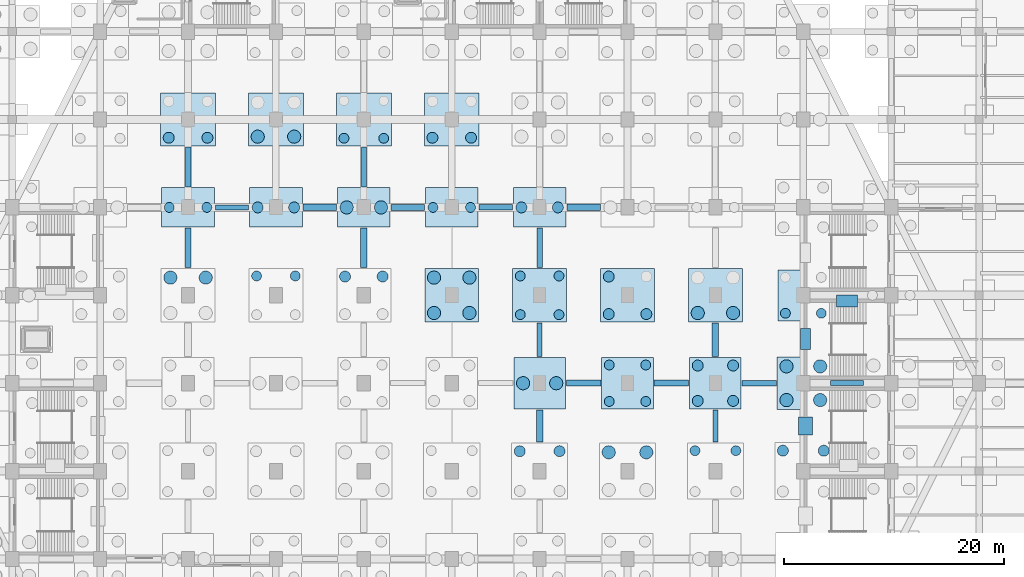
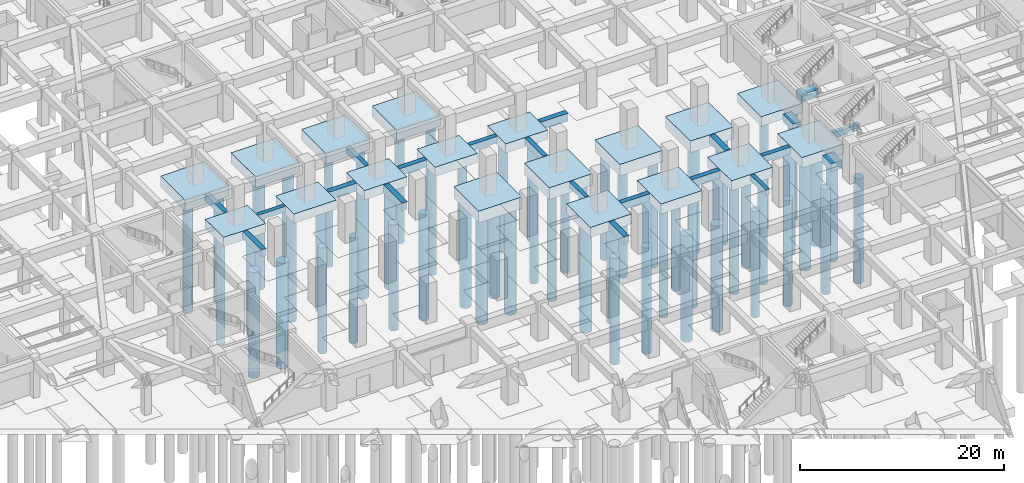
# One storey, part 9 of 36: 61 piles, 39 footings.
"""IFC4 building model written with IfcOpenShell, lengths in metres."""

from ifc_helpers import new_model, si_unit, direction, frame, origin, origin_2d, place, context, subcontext, project, spatial, rectangle, circle, extrude, material, material_profile, profile_set, type_object, element, save


model = new_model("IFC4")

# Units and contexts
model_context = context("Model", 3, precision=1e-05, world=origin(), true_north=direction((0.0, 1.0)))
body_context = subcontext(model_context, "Body", "Model", "MODEL_VIEW")
ifc_project = project(units=[si_unit("LENGTHUNIT", "METRE"), si_unit("AREAUNIT", "SQUARE_METRE"), si_unit("VOLUMEUNIT", "CUBIC_METRE"), si_unit("PLANEANGLEUNIT", "RADIAN"), si_unit("MASSUNIT", "GRAM", prefix="KILO")], contexts=[model_context])

# Site, building, storey
site_placement = place(None, origin())
site = spatial("IfcSite", under=ifc_project, at=site_placement, CompositionType="ELEMENT")
building_placement = place(site_placement, origin())
building = spatial("IfcBuilding", under=site, at=building_placement, Name="Tazarka Park Arena", CompositionType="ELEMENT")
storey_placement = place(building_placement, frame((0.0, 0.0, -4.800048828125)))
storey = spatial("IfcBuildingStorey", under=building, at=storey_placement, Name="B1", CompositionType="ELEMENT", Elevation=-4.800048828125)

# Footings
ifc_material_1 = material(Name="Concrete C35/45", Category="concrete")
footing_type_1 = type_object("IfcFootingType", Name="CAP-PC-01", PredefinedType="PILE_CAP", material=ifc_material_1)
for number, where, z_axis, x_axis, name in (
    (1, (96.0, 64.0, -1.19970703125), (0.0, 0.0, 1.0), (1.0, 0.0, 0.0), "CAP-G-12-08"),
    (2, (104.0, 64.0, -1.19970703125), (0.0, 0.0, 1.0), (1.0, 0.0, 0.0), "CAP-G-13-08"),
    (3, (112.0, 64.0, -1.19970703125), (0.0, 0.0, 1.0), (1.0, 0.0, 0.0), "CAP-G-14-08"),
):
    element("IfcFooting", number, at=place(storey_placement, frame(where, z_axis=z_axis, x_axis=x_axis)), inside=storey, type_object=footing_type_1, Name=name, PredefinedType="PILE_CAP", context=body_context, shape_type="SweptSolid", body=[
        extrude(rectangle(XDim=4.699951171875, YDim=4.699951171875, at=origin_2d()), origin(), (0.0, 0.0, 1.0), 1.199951171875),
    ])
ifc_material_2 = material(Name="Concrete C35/45", Category="concrete")
footing_type_2 = type_object("IfcFootingType", Name="CAP-PC-02", PredefinedType="PILE_CAP", material=ifc_material_2)
for number, where, z_axis, x_axis, name in (
    (4, (88.0, 72.0, -1.39990234375), (0.0, 0.0, 1.0), (1.0, 0.0, 0.0), "CAP-G-11-09"),
    (5, (96.0, 72.0, -1.39990234375), (0.0, 0.0, 1.0), (1.0, 0.0, 0.0), "CAP-G-12-09"),
    (6, (104.0, 72.0, -1.39990234375), (0.0, 0.0, 1.0), (1.0, 0.0, 0.0), "CAP-G-13-09"),
    (7, (112.0, 72.0, -1.39990234375), (0.0, 0.0, 1.0), (1.0, 0.0, 0.0), "CAP-G-14-09"),
):
    element("IfcFooting", number, at=place(storey_placement, frame(where, z_axis=z_axis, x_axis=x_axis)), inside=storey, type_object=footing_type_2, Name=name, PredefinedType="PILE_CAP", context=body_context, shape_type="SweptSolid", body=[
        extrude(rectangle(XDim=4.89990234375, YDim=4.89990234375, at=origin_2d()), origin(), (0.0, 0.0, 1.0), 1.39990234375),
    ])
ifc_material_3 = material(Name="Concrete C35/45", Category="concrete")
footing_type_3 = type_object("IfcFootingType", Name="CAP-PC-03", PredefinedType="PILE_CAP", material=ifc_material_3)
for number, where, z_axis, x_axis, name in (
    (8, (64.0, 80.0, -1.10009765625), (0.0, 0.0, 1.0), (1.0, 0.0, 0.0), "CAP-G-08-10"),
    (9, (72.0, 80.0, -1.10009765625), (0.0, 0.0, 1.0), (1.0, 0.0, 0.0), "CAP-G-09-10"),
    (10, (80.0, 80.0, -1.10009765625), (0.0, 0.0, 1.0), (1.0, 0.0, 0.0), "CAP-G-10-10"),
    (11, (88.0, 80.0, -1.10009765625), (0.0, 0.0, 1.0), (1.0, 0.0, 0.0), "CAP-G-11-10"),
    (12, (96.0, 80.0, -1.10009765625), (0.0, 0.0, 1.0), (1.0, 0.0, 0.0), "CAP-G-12-10"),
):
    element("IfcFooting", number, at=place(storey_placement, frame(where, z_axis=z_axis, x_axis=x_axis)), inside=storey, type_object=footing_type_3, Name=name, PredefinedType="PILE_CAP", context=body_context, shape_type="SweptSolid", body=[
        extrude(rectangle(XDim=4.800048828125, YDim=3.60009765625, at=origin_2d()), origin(), (0.0, 0.0, 1.0), 1.10009765625),
    ])
ifc_material_4 = material(Name="Concrete C35/45", Category="concrete")
footing_type_4 = type_object("IfcFootingType", Name="CAP-PC-04", PredefinedType="PILE_CAP", material=ifc_material_4)
for number, where, z_axis, x_axis, name in (
    (13, (64.0, 88.0, -1.2998046875), (0.0, 0.0, 1.0), (1.0, 0.0, 0.0), "CAP-G-08-11"),
    (14, (72.0, 88.0, -1.2998046875), (0.0, 0.0, 1.0), (1.0, 0.0, 0.0), "CAP-G-09-11"),
    (15, (80.0, 88.0, -1.2998046875), (0.0, 0.0, 1.0), (1.0, 0.0, 0.0), "CAP-G-10-11"),
    (16, (88.0, 88.0, -1.2998046875), (0.0, 0.0, 1.0), (1.0, 0.0, 0.0), "CAP-G-11-11"),
):
    element("IfcFooting", number, at=place(storey_placement, frame(where, z_axis=z_axis, x_axis=x_axis)), inside=storey, type_object=footing_type_4, Name=name, PredefinedType="PILE_CAP", context=body_context, shape_type="SweptSolid", body=[
        extrude(rectangle(XDim=5.0, YDim=4.800048828125, at=origin_2d()), origin(), (0.0, 0.0, 1.0), 1.300048828125),
    ])
ifc_material_5 = material(Name="Concrete C35/45", Category="concrete")
footing_type_5 = type_object("IfcFootingType", Name="CAP-PC-06", PredefinedType="PILE_CAP", material=ifc_material_5)
footing_1_placement = place(storey_placement, frame((120.0, 64.0, -1.25), z_axis=(0.0, 0.0, 1.0), x_axis=(1.0, 0.0, 0.0)))
element("IfcFooting", 17, at=footing_1_placement, inside=storey, type_object=footing_type_5, Name="CAP-G-15-08", PredefinedType="PILE_CAP", context=body_context, shape_type="SweptSolid", body=[
    extrude(rectangle(XDim=4.75, YDim=4.75, at=origin_2d()), origin(), (0.0, 0.0, 1.0), 1.25),
])
ifc_material_6 = material(Name="Concrete C35/45", Category="concrete")
footing_type_6 = type_object("IfcFootingType", Name="CAP-PC-07", PredefinedType="PILE_CAP", material=ifc_material_6)
footing_2_placement = place(storey_placement, frame((120.0, 72.0, -1.14990234375), z_axis=(0.0, 0.0, 1.0), x_axis=(1.0, 0.0, 0.0)))
element("IfcFooting", 18, at=footing_2_placement, inside=storey, type_object=footing_type_6, Name="CAP-G-15-09", PredefinedType="PILE_CAP", context=body_context, shape_type="SweptSolid", body=[
    extrude(rectangle(XDim=4.64990234375, YDim=4.64990234375, at=origin_2d()), origin(), (0.0, 0.0, 1.0), 1.14990234375),
])
ifc_material_7 = material(Name="Concrete C35/45", Category="concrete")
ifc_material_profile_1 = material_profile(ifc_material_7, rectangle(XDim=0.449951171875, YDim=0.699951171875, at=origin_2d()), Name="Concrete C35/45")
ifc_profile_set_1 = profile_set([ifc_material_profile_1], Name="Concrete C35/45")
footing_type_7 = type_object("IfcFootingType", Name="GB-GB-01", PredefinedType="FOOTING_BEAM", material=ifc_profile_set_1)
footing_3_placement = place(storey_placement, frame((66.47998046875, 80.0, -0.349853515625), z_axis=(1.0, 0.0, 0.0), x_axis=(0.0, 1.0, 0.0)))
element("IfcFooting", 19, at=footing_3_placement, inside=storey, type_object=footing_type_7, Name="GB-X-08-10", PredefinedType="FOOTING_BEAM", context=body_context, shape_type="SweptSolid", body=[
    extrude(rectangle(XDim=0.449951171875, YDim=0.699951171875, at=origin_2d()), origin(), (0.0, 0.0, 1.0), 3.0400390625),
])
footing_4_placement = place(storey_placement, frame((80.0, 81.8798828125, -0.349853515625), z_axis=(0.0, 1.0, 0.0), x_axis=(-1.0, 0.0, 0.0)))
element("IfcFooting", 20, at=footing_4_placement, inside=storey, type_object=footing_type_7, Name="GB-Y-10-10", PredefinedType="FOOTING_BEAM", context=body_context, shape_type="SweptSolid", body=[
    extrude(rectangle(XDim=0.449951171875, YDim=0.699951171875, at=origin_2d()), origin(), (0.0, 0.0, 1.0), 3.64013671875),
])
footing_5_placement = place(storey_placement, frame((96.0, 66.429931640625, -0.349853515625), z_axis=(0.0, 1.0, 0.0), x_axis=(-1.0, 0.0, 0.0)))
element("IfcFooting", 21, at=footing_5_placement, inside=storey, type_object=footing_type_7, Name="GB-Y-12-08", PredefinedType="FOOTING_BEAM", context=body_context, shape_type="SweptSolid", body=[
    extrude(rectangle(XDim=0.449951171875, YDim=0.699951171875, at=origin_2d()), origin(), (0.0, 0.0, 1.0), 3.0400390625),
])
footing_6_placement = place(storey_placement, frame((112.0, 58.6298828125, -0.349853515625), z_axis=(0.0, 1.0, 0.0), x_axis=(-1.0, 0.0, 0.0)))
element("IfcFooting", 22, at=footing_6_placement, inside=storey, type_object=footing_type_7, Name="GB-Y-14-07", PredefinedType="FOOTING_BEAM", context=body_context, shape_type="SweptSolid", body=[
    extrude(rectangle(XDim=0.449951171875, YDim=0.699951171875, at=origin_2d()), origin(), (0.0, 0.0, 1.0), 2.940185546875),
])
footing_7_placement = place(storey_placement, frame((122.455078125, 64.0, -0.349853515625), z_axis=(1.0, 0.0, 0.0), x_axis=(0.0, 1.0, 0.0)))
element("IfcFooting", 23, at=footing_7_placement, inside=storey, type_object=footing_type_7, Name="GB-X-15-08", PredefinedType="FOOTING_BEAM", context=body_context, shape_type="SweptSolid", body=[
    extrude(rectangle(XDim=0.449951171875, YDim=0.699951171875, at=origin_2d()), origin(), (0.0, 0.0, 1.0), 3.014892578125),
])
ifc_material_8 = material(Name="Concrete C35/45", Category="concrete")
ifc_material_profile_2 = material_profile(ifc_material_8, rectangle(XDim=0.5, YDim=0.800048828125, at=origin_2d()), Name="Concrete C35/45")
ifc_profile_set_2 = profile_set([ifc_material_profile_2], Name="Concrete C35/45")
footing_type_8 = type_object("IfcFootingType", Name="GB-GB-02", PredefinedType="FOOTING_BEAM", material=ifc_profile_set_2)
footing_8_placement = place(storey_placement, frame((64.0, 81.8798828125, -0.39990234375), z_axis=(0.0, 1.0, 0.0), x_axis=(-1.0, 0.0, 0.0)))
element("IfcFooting", 24, at=footing_8_placement, inside=storey, type_object=footing_type_8, Name="GB-Y-08-10", PredefinedType="FOOTING_BEAM", context=body_context, shape_type="SweptSolid", body=[
    extrude(rectangle(XDim=0.5, YDim=0.800048828125, at=origin_2d()), origin(), (0.0, 0.0, 1.0), 3.64013671875),
])
footing_9_placement = place(storey_placement, frame((90.47998046875, 80.0, -0.39990234375), z_axis=(1.0, 0.0, 0.0), x_axis=(0.0, 1.0, 0.0)))
element("IfcFooting", 25, at=footing_9_placement, inside=storey, type_object=footing_type_8, Name="GB-X-11-10", PredefinedType="FOOTING_BEAM", context=body_context, shape_type="SweptSolid", body=[
    extrude(rectangle(XDim=0.5, YDim=0.800048828125, at=origin_2d()), origin(), (0.0, 0.0, 1.0), 3.0400390625),
])
footing_10_placement = place(storey_placement, frame((96.0, 74.530029296875, -0.39990234375), z_axis=(0.0, 1.0, 0.0), x_axis=(-1.0, 0.0, 0.0)))
element("IfcFooting", 26, at=footing_10_placement, inside=storey, type_object=footing_type_8, Name="GB-Y-12-09", PredefinedType="FOOTING_BEAM", context=body_context, shape_type="SweptSolid", body=[
    extrude(rectangle(XDim=0.5, YDim=0.800048828125, at=origin_2d()), origin(), (0.0, 0.0, 1.0), 3.590087890625),
])
footing_11_placement = place(storey_placement, frame((114.429931640625, 64.0, -0.39990234375), z_axis=(1.0, 0.0, 0.0), x_axis=(0.0, 1.0, 0.0)))
element("IfcFooting", 27, at=footing_11_placement, inside=storey, type_object=footing_type_8, Name="GB-X-14-08", PredefinedType="FOOTING_BEAM", context=body_context, shape_type="SweptSolid", body=[
    extrude(rectangle(XDim=0.5, YDim=0.800048828125, at=origin_2d()), origin(), (0.0, 0.0, 1.0), 3.114990234375),
])
ifc_material_9 = material(Name="Concrete C35/45", Category="concrete")
ifc_material_profile_3 = material_profile(ifc_material_9, rectangle(XDim=0.60009765625, YDim=0.949951171875, at=origin_2d()), Name="Concrete C35/45")
ifc_profile_set_3 = profile_set([ifc_material_profile_3], Name="Concrete C35/45")
footing_type_9 = type_object("IfcFootingType", Name="GB-GB-03", PredefinedType="FOOTING_BEAM", material=ifc_profile_set_3)
footing_12_placement = place(storey_placement, frame((74.47998046875, 80.0, -0.474853515625), z_axis=(1.0, 0.0, 0.0), x_axis=(0.0, 1.0, 0.0)))
element("IfcFooting", 28, at=footing_12_placement, inside=storey, type_object=footing_type_9, Name="GB-X-09-10", PredefinedType="FOOTING_BEAM", context=body_context, shape_type="SweptSolid", body=[
    extrude(rectangle(XDim=0.60009765625, YDim=0.949951171875, at=origin_2d()), origin(), (0.0, 0.0, 1.0), 3.0400390625),
])
footing_13_placement = place(storey_placement, frame((80.0, 74.530029296875, -0.474853515625), z_axis=(0.0, 1.0, 0.0), x_axis=(-1.0, 0.0, 0.0)))
element("IfcFooting", 29, at=footing_13_placement, inside=storey, type_object=footing_type_9, Name="GB-Y-10-09", PredefinedType="FOOTING_BEAM", context=body_context, shape_type="SweptSolid", body=[
    extrude(rectangle(XDim=0.60009765625, YDim=0.949951171875, at=origin_2d()), origin(), (0.0, 0.0, 1.0), 3.590087890625),
])
footing_14_placement = place(storey_placement, frame((96.0, 58.6298828125, -0.474853515625), z_axis=(0.0, 1.0, 0.0), x_axis=(-1.0, 0.0, 0.0)))
element("IfcFooting", 30, at=footing_14_placement, inside=storey, type_object=footing_type_9, Name="GB-Y-12-07", PredefinedType="FOOTING_BEAM", context=body_context, shape_type="SweptSolid", body=[
    extrude(rectangle(XDim=0.60009765625, YDim=0.949951171875, at=origin_2d()), origin(), (0.0, 0.0, 1.0), 2.940185546875),
])
for number, where, z_axis, x_axis, name in (
    (31, (98.47998046875, 80.0, -0.474853515625), (1.0, 0.0, 0.0), (0.0, 1.0, 0.0), "GB-X-12-10"),
    (32, (112.0, 66.429931640625, -0.474853515625), (0.0, 1.0, 0.0), (-1.0, 0.0, 0.0), "GB-Y-14-08"),
):
    element("IfcFooting", number, at=place(storey_placement, frame(where, z_axis=z_axis, x_axis=x_axis)), inside=storey, type_object=footing_type_9, Name=name, PredefinedType="FOOTING_BEAM", context=body_context, shape_type="SweptSolid", body=[
        extrude(rectangle(XDim=0.60009765625, YDim=0.949951171875, at=origin_2d()), origin(), (0.0, 0.0, 1.0), 3.0400390625),
    ])
ifc_material_10 = material(Name="Concrete C35/45", Category="concrete")
ifc_material_profile_4 = material_profile(ifc_material_10, rectangle(XDim=0.550048828125, YDim=0.85009765625, at=origin_2d()), Name="Concrete C35/45")
ifc_profile_set_4 = profile_set([ifc_material_profile_4], Name="Concrete C35/45")
footing_type_10 = type_object("IfcFootingType", Name="GB-GB-04", PredefinedType="FOOTING_BEAM", material=ifc_profile_set_4)
footing_15_placement = place(storey_placement, frame((64.0, 74.530029296875, -0.425048828125), z_axis=(0.0, 1.0, 0.0), x_axis=(-1.0, 0.0, 0.0)))
element("IfcFooting", 33, at=footing_15_placement, inside=storey, type_object=footing_type_10, Name="GB-Y-08-09", PredefinedType="FOOTING_BEAM", context=body_context, shape_type="SweptSolid", body=[
    extrude(rectangle(XDim=0.550048828125, YDim=0.85009765625, at=origin_2d()), origin(), (0.0, 0.0, 1.0), 3.590087890625),
])
footing_16_placement = place(storey_placement, frame((82.47998046875, 80.0, -0.425048828125), z_axis=(1.0, 0.0, 0.0), x_axis=(0.0, 1.0, 0.0)))
element("IfcFooting", 34, at=footing_16_placement, inside=storey, type_object=footing_type_10, Name="GB-X-10-10", PredefinedType="FOOTING_BEAM", context=body_context, shape_type="SweptSolid", body=[
    extrude(rectangle(XDim=0.550048828125, YDim=0.85009765625, at=origin_2d()), origin(), (0.0, 0.0, 1.0), 3.0400390625),
])
for number, where, z_axis, x_axis, name in (
    (35, (98.429931640625, 64.0, -0.425048828125), (1.0, 0.0, 0.0), (0.0, 1.0, 0.0), "GB-X-12-08"),
    (36, (106.429931640625, 64.0, -0.425048828125), (1.0, 0.0, 0.0), (0.0, 1.0, 0.0), "GB-X-13-08"),
):
    element("IfcFooting", number, at=place(storey_placement, frame(where, z_axis=z_axis, x_axis=x_axis)), inside=storey, type_object=footing_type_10, Name=name, PredefinedType="FOOTING_BEAM", context=body_context, shape_type="SweptSolid", body=[
        extrude(rectangle(XDim=0.550048828125, YDim=0.85009765625, at=origin_2d()), origin(), (0.0, 0.0, 1.0), 3.14013671875),
    ])

# Piles
ifc_material_11 = material(Name="Concrete C35/45", Category="concrete")
ifc_material_profile_5 = material_profile(ifc_material_11, circle(Radius=0.5, at=origin_2d()), Name="Concrete C35/45")
ifc_profile_set_5 = profile_set([ifc_material_profile_5], Name="Concrete C35/45")
pile_type_1 = type_object("IfcPileType", Name="PILE-D1000", PredefinedType="BORED", material=ifc_profile_set_5)
for number, where, z_axis, x_axis, name in (
    (37, (62.239990234375, 86.340087890625, -1.199951171875), (0.0, 0.0, -1.0), (1.0, 0.0, 0.0), "PLN-G-08-11-1"),
    (38, (65.760009765625, 86.340087890625, -1.199951171875), (0.0, 0.0, -1.0), (1.0, 0.0, 0.0), "PLN-G-08-11-2"),
):
    element("IfcPile", number, at=place(storey_placement, frame(where, z_axis=z_axis, x_axis=x_axis)), inside=storey, type_object=pile_type_1, Name=name, PredefinedType="BORED", context=body_context, shape_type="SweptSolid", body=[
        extrude(circle(Radius=0.5, at=origin_2d()), origin(), (0.0, 0.0, 1.0), 12.800048828125),
    ])
for number, where, z_axis, x_axis, name in (
    (39, (70.340087890625, 80.0, -1.0), (0.0, 0.0, -1.0), (1.0, 0.0, 0.0), "PLN-G-09-10-1"),
    (40, (73.659912109375, 80.0, -1.0), (0.0, 0.0, -1.0), (1.0, 0.0, 0.0), "PLN-G-09-10-2"),
):
    element("IfcPile", number, at=place(storey_placement, frame(where, z_axis=z_axis, x_axis=x_axis)), inside=storey, type_object=pile_type_1, Name=name, PredefinedType="BORED", context=body_context, shape_type="SweptSolid", body=[
        extrude(circle(Radius=0.5, at=origin_2d()), origin(), (0.0, 0.0, 1.0), 13.0),
    ])
for number, where, z_axis, x_axis, name in (
    (41, (78.2900390625, 73.7099609375, -1.300048828125), (0.0, 0.0, -1.0), (1.0, 0.0, 0.0), "PLN-G-10-09-3"),
    (42, (81.7099609375, 73.7099609375, -1.300048828125), (0.0, 0.0, -1.0), (1.0, 0.0, 0.0), "PLN-G-10-09-4"),
):
    element("IfcPile", number, at=place(storey_placement, frame(where, z_axis=z_axis, x_axis=x_axis)), inside=storey, type_object=pile_type_1, Name=name, PredefinedType="BORED", context=body_context, shape_type="SweptSolid", body=[
        extrude(circle(Radius=0.5, at=origin_2d()), origin(), (0.0, 0.0, 1.0), 12.699951171875),
    ])
for number, where, z_axis, x_axis, name in (
    (43, (86.239990234375, 86.340087890625, -1.199951171875), (0.0, 0.0, -1.0), (1.0, 0.0, 0.0), "PLN-G-11-11-1"),
    (44, (89.760009765625, 86.340087890625, -1.199951171875), (0.0, 0.0, -1.0), (1.0, 0.0, 0.0), "PLN-G-11-11-2"),
):
    element("IfcPile", number, at=place(storey_placement, frame(where, z_axis=z_axis, x_axis=x_axis)), inside=storey, type_object=pile_type_1, Name=name, PredefinedType="BORED", context=body_context, shape_type="SweptSolid", body=[
        extrude(circle(Radius=0.5, at=origin_2d()), origin(), (0.0, 0.0, 1.0), 12.800048828125),
    ])
for number, where, z_axis, x_axis, name in (
    (45, (94.18994140625, 57.81005859375, -1.25), (0.0, 0.0, -1.0), (1.0, 0.0, 0.0), "PLN-G-12-07-3"),
    (46, (97.81005859375, 57.81005859375, -1.25), (0.0, 0.0, -1.0), (1.0, 0.0, 0.0), "PLN-G-12-07-4"),
):
    element("IfcPile", number, at=place(storey_placement, frame(where, z_axis=z_axis, x_axis=x_axis)), inside=storey, type_object=pile_type_1, Name=name, PredefinedType="BORED", context=body_context, shape_type="SweptSolid", body=[
        extrude(circle(Radius=0.5, at=origin_2d()), origin(), (0.0, 0.0, 1.0), 12.75),
    ])
for number, where, z_axis, x_axis, name in (
    (47, (94.340087890625, 80.0, -1.0), (0.0, 0.0, -1.0), (1.0, 0.0, 0.0), "PLN-G-12-10-1"),
    (48, (97.659912109375, 80.0, -1.0), (0.0, 0.0, -1.0), (1.0, 0.0, 0.0), "PLN-G-12-10-2"),
):
    element("IfcPile", number, at=place(storey_placement, frame(where, z_axis=z_axis, x_axis=x_axis)), inside=storey, type_object=pile_type_1, Name=name, PredefinedType="BORED", context=body_context, shape_type="SweptSolid", body=[
        extrude(circle(Radius=0.5, at=origin_2d()), origin(), (0.0, 0.0, 1.0), 13.0),
    ])
for number, where, z_axis, x_axis, name in (
    (49, (102.2900390625, 70.2900390625, -1.300048828125), (0.0, 0.0, -1.0), (1.0, 0.0, 0.0), "PLN-G-13-09-1"),
    (50, (105.7099609375, 70.2900390625, -1.300048828125), (0.0, 0.0, -1.0), (1.0, 0.0, 0.0), "PLN-G-13-09-2"),
    (51, (102.2900390625, 73.7099609375, -1.300048828125), (0.0, 0.0, -1.0), (1.0, 0.0, 0.0), "PLN-G-13-09-3"),
):
    element("IfcPile", number, at=place(storey_placement, frame(where, z_axis=z_axis, x_axis=x_axis)), inside=storey, type_object=pile_type_1, Name=name, PredefinedType="BORED", context=body_context, shape_type="SweptSolid", body=[
        extrude(circle(Radius=0.5, at=origin_2d()), origin(), (0.0, 0.0, 1.0), 12.699951171875),
    ])
for number, where, z_axis, x_axis, name in (
    (52, (110.389892578125, 62.389892578125, -1.099853515625), (0.0, 0.0, -1.0), (1.0, 0.0, 0.0), "PLN-G-14-08-1"),
    (53, (113.610107421875, 62.389892578125, -1.099853515625), (0.0, 0.0, -1.0), (1.0, 0.0, 0.0), "PLN-G-14-08-2"),
    (54, (110.389892578125, 65.610107421875, -1.099853515625), (0.0, 0.0, -1.0), (1.0, 0.0, 0.0), "PLN-G-14-08-3"),
    (55, (113.610107421875, 65.610107421875, -1.099853515625), (0.0, 0.0, -1.0), (1.0, 0.0, 0.0), "PLN-G-14-08-4"),
):
    element("IfcPile", number, at=place(storey_placement, frame(where, z_axis=z_axis, x_axis=x_axis)), inside=storey, type_object=pile_type_1, Name=name, PredefinedType="BORED", context=body_context, shape_type="SweptSolid", body=[
        extrude(circle(Radius=0.5, at=origin_2d()), origin(), (0.0, 0.0, 1.0), 12.89990234375),
    ])
for number, where, z_axis, x_axis, name in (
    (56, (118.139892578125, 57.860107421875, -1.39990234375), (0.0, 0.0, -1.0), (1.0, 0.0, 0.0), "PLN-G-15-07-3"),
    (57, (121.860107421875, 57.860107421875, -1.39990234375), (0.0, 0.0, -1.0), (1.0, 0.0, 0.0), "PLN-G-15-07-4"),
):
    element("IfcPile", number, at=place(storey_placement, frame(where, z_axis=z_axis, x_axis=x_axis)), inside=storey, type_object=pile_type_1, Name=name, PredefinedType="BORED", context=body_context, shape_type="SweptSolid", body=[
        extrude(circle(Radius=0.5, at=origin_2d()), origin(), (0.0, 0.0, 1.0), 12.60009765625),
    ])
ifc_material_12 = material(Name="Concrete C35/45", Category="concrete")
ifc_material_profile_6 = material_profile(ifc_material_12, circle(Radius=0.60009765625, at=origin_2d()), Name="Concrete C35/45")
ifc_profile_set_6 = profile_set([ifc_material_profile_6], Name="Concrete C35/45")
pile_type_2 = type_object("IfcPileType", Name="PILE-D1200", PredefinedType="BORED", material=ifc_profile_set_6)
for number, where, z_axis, x_axis, name in (
    (58, (62.389892578125, 73.610107421875, -1.300048828125), (0.0, 0.0, -1.0), (1.0, 0.0, 0.0), "PLN-G-08-09-3"),
    (59, (65.610107421875, 73.610107421875, -1.300048828125), (0.0, 0.0, -1.0), (1.0, 0.0, 0.0), "PLN-G-08-09-4"),
):
    element("IfcPile", number, at=place(storey_placement, frame(where, z_axis=z_axis, x_axis=x_axis)), inside=storey, type_object=pile_type_2, Name=name, PredefinedType="BORED", context=body_context, shape_type="SweptSolid", body=[
        extrude(circle(Radius=0.60009765625, at=origin_2d()), origin(), (0.0, 0.0, 1.0), 12.699951171875),
    ])
for number, where, z_axis, x_axis, name in (
    (60, (70.340087890625, 86.43994140625, -1.199951171875), (0.0, 0.0, -1.0), (1.0, 0.0, 0.0), "PLN-G-09-11-1"),
    (61, (73.659912109375, 86.43994140625, -1.199951171875), (0.0, 0.0, -1.0), (1.0, 0.0, 0.0), "PLN-G-09-11-2"),
):
    element("IfcPile", number, at=place(storey_placement, frame(where, z_axis=z_axis, x_axis=x_axis)), inside=storey, type_object=pile_type_2, Name=name, PredefinedType="BORED", context=body_context, shape_type="SweptSolid", body=[
        extrude(circle(Radius=0.60009765625, at=origin_2d()), origin(), (0.0, 0.0, 1.0), 12.800048828125),
    ])
for number, where, z_axis, x_axis, name in (
    (62, (78.43994140625, 80.0, -1.0), (0.0, 0.0, -1.0), (1.0, 0.0, 0.0), "PLN-G-10-10-1"),
    (63, (81.56005859375, 80.0, -1.0), (0.0, 0.0, -1.0), (1.0, 0.0, 0.0), "PLN-G-10-10-2"),
):
    element("IfcPile", number, at=place(storey_placement, frame(where, z_axis=z_axis, x_axis=x_axis)), inside=storey, type_object=pile_type_2, Name=name, PredefinedType="BORED", context=body_context, shape_type="SweptSolid", body=[
        extrude(circle(Radius=0.60009765625, at=origin_2d()), origin(), (0.0, 0.0, 1.0), 13.0),
    ])
for number, where, z_axis, x_axis, name in (
    (64, (86.389892578125, 70.389892578125, -1.300048828125), (0.0, 0.0, -1.0), (1.0, 0.0, 0.0), "PLN-G-11-09-1"),
    (65, (89.610107421875, 70.389892578125, -1.300048828125), (0.0, 0.0, -1.0), (1.0, 0.0, 0.0), "PLN-G-11-09-2"),
    (66, (86.389892578125, 73.610107421875, -1.300048828125), (0.0, 0.0, -1.0), (1.0, 0.0, 0.0), "PLN-G-11-09-3"),
    (67, (89.610107421875, 73.610107421875, -1.300048828125), (0.0, 0.0, -1.0), (1.0, 0.0, 0.0), "PLN-G-11-09-4"),
):
    element("IfcPile", number, at=place(storey_placement, frame(where, z_axis=z_axis, x_axis=x_axis)), inside=storey, type_object=pile_type_2, Name=name, PredefinedType="BORED", context=body_context, shape_type="SweptSolid", body=[
        extrude(circle(Radius=0.60009765625, at=origin_2d()), origin(), (0.0, 0.0, 1.0), 12.699951171875),
    ])
for number, where, z_axis, x_axis, name in (
    (68, (94.489990234375, 64.0, -1.099853515625), (0.0, 0.0, -1.0), (1.0, 0.0, 0.0), "PLN-G-12-08-1"),
    (69, (97.510009765625, 64.0, -1.099853515625), (0.0, 0.0, -1.0), (1.0, 0.0, 0.0), "PLN-G-12-08-2"),
):
    element("IfcPile", number, at=place(storey_placement, frame(where, z_axis=z_axis, x_axis=x_axis)), inside=storey, type_object=pile_type_2, Name=name, PredefinedType="BORED", context=body_context, shape_type="SweptSolid", body=[
        extrude(circle(Radius=0.60009765625, at=origin_2d()), origin(), (0.0, 0.0, 1.0), 12.89990234375),
    ])
for number, where, z_axis, x_axis, name in (
    (70, (102.2900390625, 57.7099609375, -1.25), (0.0, 0.0, -1.0), (1.0, 0.0, 0.0), "PLN-G-13-07-3"),
    (71, (105.7099609375, 57.7099609375, -1.25), (0.0, 0.0, -1.0), (1.0, 0.0, 0.0), "PLN-G-13-07-4"),
):
    element("IfcPile", number, at=place(storey_placement, frame(where, z_axis=z_axis, x_axis=x_axis)), inside=storey, type_object=pile_type_2, Name=name, PredefinedType="BORED", context=body_context, shape_type="SweptSolid", body=[
        extrude(circle(Radius=0.60009765625, at=origin_2d()), origin(), (0.0, 0.0, 1.0), 12.75),
    ])
for number, where, z_axis, x_axis, name in (
    (72, (110.389892578125, 70.389892578125, -1.300048828125), (0.0, 0.0, -1.0), (1.0, 0.0, 0.0), "PLN-G-14-09-1"),
    (73, (113.610107421875, 70.389892578125, -1.300048828125), (0.0, 0.0, -1.0), (1.0, 0.0, 0.0), "PLN-G-14-09-2"),
):
    element("IfcPile", number, at=place(storey_placement, frame(where, z_axis=z_axis, x_axis=x_axis)), inside=storey, type_object=pile_type_2, Name=name, PredefinedType="BORED", context=body_context, shape_type="SweptSolid", body=[
        extrude(circle(Radius=0.60009765625, at=origin_2d()), origin(), (0.0, 0.0, 1.0), 12.699951171875),
    ])
for number, where, z_axis, x_axis, name in (
    (74, (118.465087890625, 62.465087890625, -1.14990234375), (0.0, 0.0, -1.0), (1.0, 0.0, 0.0), "PLN-G-15-08-1"),
    (75, (121.534912109375, 62.465087890625, -1.14990234375), (0.0, 0.0, -1.0), (1.0, 0.0, 0.0), "PLN-G-15-08-2"),
    (76, (118.465087890625, 65.534912109375, -1.14990234375), (0.0, 0.0, -1.0), (1.0, 0.0, 0.0), "PLN-G-15-08-3"),
    (77, (121.534912109375, 65.534912109375, -1.14990234375), (0.0, 0.0, -1.0), (1.0, 0.0, 0.0), "PLN-G-15-08-4"),
):
    element("IfcPile", number, at=place(storey_placement, frame(where, z_axis=z_axis, x_axis=x_axis)), inside=storey, type_object=pile_type_2, Name=name, PredefinedType="BORED", context=body_context, shape_type="SweptSolid", body=[
        extrude(circle(Radius=0.60009765625, at=origin_2d()), origin(), (0.0, 0.0, 1.0), 12.85009765625),
    ])
ifc_material_13 = material(Name="Concrete C35/45", Category="concrete")
ifc_material_profile_7 = material_profile(ifc_material_13, circle(Radius=0.449951171875, at=origin_2d()), Name="Concrete C35/45")
ifc_profile_set_7 = profile_set([ifc_material_profile_7], Name="Concrete C35/45")
pile_type_3 = type_object("IfcPileType", Name="PILE-D900", PredefinedType="BORED", material=ifc_profile_set_7)
for number, where, z_axis, x_axis, name in (
    (78, (62.2900390625, 80.0, -1.0), (0.0, 0.0, -1.0), (1.0, 0.0, 0.0), "PLN-G-08-10-1"),
    (79, (65.7099609375, 80.0, -1.0), (0.0, 0.0, -1.0), (1.0, 0.0, 0.0), "PLN-G-08-10-2"),
):
    element("IfcPile", number, at=place(storey_placement, frame(where, z_axis=z_axis, x_axis=x_axis)), inside=storey, type_object=pile_type_3, Name=name, PredefinedType="BORED", context=body_context, shape_type="SweptSolid", body=[
        extrude(circle(Radius=0.449951171875, at=origin_2d()), origin(), (0.0, 0.0, 1.0), 13.0),
    ])
for number, where, z_axis, x_axis, name in (
    (80, (70.239990234375, 73.760009765625, -1.300048828125), (0.0, 0.0, -1.0), (1.0, 0.0, 0.0), "PLN-G-09-09-3"),
    (81, (73.760009765625, 73.760009765625, -1.300048828125), (0.0, 0.0, -1.0), (1.0, 0.0, 0.0), "PLN-G-09-09-4"),
):
    element("IfcPile", number, at=place(storey_placement, frame(where, z_axis=z_axis, x_axis=x_axis)), inside=storey, type_object=pile_type_3, Name=name, PredefinedType="BORED", context=body_context, shape_type="SweptSolid", body=[
        extrude(circle(Radius=0.449951171875, at=origin_2d()), origin(), (0.0, 0.0, 1.0), 12.699951171875),
    ])
for number, where, z_axis, x_axis, name in (
    (82, (78.18994140625, 86.2900390625, -1.199951171875), (0.0, 0.0, -1.0), (1.0, 0.0, 0.0), "PLN-G-10-11-1"),
    (83, (81.81005859375, 86.2900390625, -1.199951171875), (0.0, 0.0, -1.0), (1.0, 0.0, 0.0), "PLN-G-10-11-2"),
):
    element("IfcPile", number, at=place(storey_placement, frame(where, z_axis=z_axis, x_axis=x_axis)), inside=storey, type_object=pile_type_3, Name=name, PredefinedType="BORED", context=body_context, shape_type="SweptSolid", body=[
        extrude(circle(Radius=0.449951171875, at=origin_2d()), origin(), (0.0, 0.0, 1.0), 12.800048828125),
    ])
for number, where, z_axis, x_axis, name in (
    (84, (86.2900390625, 80.0, -1.0), (0.0, 0.0, -1.0), (1.0, 0.0, 0.0), "PLN-G-11-10-1"),
    (85, (89.7099609375, 80.0, -1.0), (0.0, 0.0, -1.0), (1.0, 0.0, 0.0), "PLN-G-11-10-2"),
):
    element("IfcPile", number, at=place(storey_placement, frame(where, z_axis=z_axis, x_axis=x_axis)), inside=storey, type_object=pile_type_3, Name=name, PredefinedType="BORED", context=body_context, shape_type="SweptSolid", body=[
        extrude(circle(Radius=0.449951171875, at=origin_2d()), origin(), (0.0, 0.0, 1.0), 13.0),
    ])
for number, where, z_axis, x_axis, name in (
    (86, (94.239990234375, 70.239990234375, -1.300048828125), (0.0, 0.0, -1.0), (1.0, 0.0, 0.0), "PLN-G-12-09-1"),
    (87, (97.760009765625, 70.239990234375, -1.300048828125), (0.0, 0.0, -1.0), (1.0, 0.0, 0.0), "PLN-G-12-09-2"),
    (88, (94.239990234375, 73.760009765625, -1.300048828125), (0.0, 0.0, -1.0), (1.0, 0.0, 0.0), "PLN-G-12-09-3"),
    (89, (97.760009765625, 73.760009765625, -1.300048828125), (0.0, 0.0, -1.0), (1.0, 0.0, 0.0), "PLN-G-12-09-4"),
):
    element("IfcPile", number, at=place(storey_placement, frame(where, z_axis=z_axis, x_axis=x_axis)), inside=storey, type_object=pile_type_3, Name=name, PredefinedType="BORED", context=body_context, shape_type="SweptSolid", body=[
        extrude(circle(Radius=0.449951171875, at=origin_2d()), origin(), (0.0, 0.0, 1.0), 12.699951171875),
    ])
for number, where, z_axis, x_axis, name in (
    (90, (102.340087890625, 62.340087890625, -1.099853515625), (0.0, 0.0, -1.0), (1.0, 0.0, 0.0), "PLN-G-13-08-1"),
    (91, (105.659912109375, 62.340087890625, -1.099853515625), (0.0, 0.0, -1.0), (1.0, 0.0, 0.0), "PLN-G-13-08-2"),
    (92, (102.340087890625, 65.659912109375, -1.099853515625), (0.0, 0.0, -1.0), (1.0, 0.0, 0.0), "PLN-G-13-08-3"),
    (93, (105.659912109375, 65.659912109375, -1.099853515625), (0.0, 0.0, -1.0), (1.0, 0.0, 0.0), "PLN-G-13-08-4"),
):
    element("IfcPile", number, at=place(storey_placement, frame(where, z_axis=z_axis, x_axis=x_axis)), inside=storey, type_object=pile_type_3, Name=name, PredefinedType="BORED", context=body_context, shape_type="SweptSolid", body=[
        extrude(circle(Radius=0.449951171875, at=origin_2d()), origin(), (0.0, 0.0, 1.0), 12.89990234375),
    ])
for number, where, z_axis, x_axis, name in (
    (94, (110.139892578125, 57.860107421875, -1.25), (0.0, 0.0, -1.0), (1.0, 0.0, 0.0), "PLN-G-14-07-3"),
    (95, (113.860107421875, 57.860107421875, -1.25), (0.0, 0.0, -1.0), (1.0, 0.0, 0.0), "PLN-G-14-07-4"),
):
    element("IfcPile", number, at=place(storey_placement, frame(where, z_axis=z_axis, x_axis=x_axis)), inside=storey, type_object=pile_type_3, Name=name, PredefinedType="BORED", context=body_context, shape_type="SweptSolid", body=[
        extrude(circle(Radius=0.449951171875, at=origin_2d()), origin(), (0.0, 0.0, 1.0), 12.75),
    ])
for number, where, z_axis, x_axis, name in (
    (96, (118.364990234375, 70.364990234375, -1.050048828125), (0.0, 0.0, -1.0), (1.0, 0.0, 0.0), "PLN-G-15-09-1"),
    (97, (121.635009765625, 70.364990234375, -1.050048828125), (0.0, 0.0, -1.0), (1.0, 0.0, 0.0), "PLN-G-15-09-2"),
):
    element("IfcPile", number, at=place(storey_placement, frame(where, z_axis=z_axis, x_axis=x_axis)), inside=storey, type_object=pile_type_3, Name=name, PredefinedType="BORED", context=body_context, shape_type="SweptSolid", body=[
        extrude(circle(Radius=0.449951171875, at=origin_2d()), origin(), (0.0, 0.0, 1.0), 12.949951171875),
    ])

# Footings
ifc_material_14 = material(Name="Concrete C35/45", Category="concrete")
ifc_material_profile_8 = material_profile(ifc_material_14, rectangle(XDim=0.949951171875, YDim=0.85009765625, at=origin_2d()), Name="Concrete C35/45")
ifc_profile_set_8 = profile_set([ifc_material_profile_8], Name="Concrete C35/45")
footing_type_11 = type_object("IfcFootingType", Name="SF-SF-01", PredefinedType="STRIP_FOOTING", material=ifc_profile_set_8)
footing_17_placement = place(storey_placement, frame((120.199951171875, 67.054931640625, -0.425048828125), z_axis=(0.0, 1.0, 0.0), x_axis=(-1.0, 0.0, 0.0)))
element("IfcFooting", 98, at=footing_17_placement, inside=storey, type_object=footing_type_11, Name="SF-ST16-W-1", PredefinedType="STRIP_FOOTING", context=body_context, shape_type="SweptSolid", body=[
    extrude(rectangle(XDim=0.949951171875, YDim=0.85009765625, at=origin_2d()), origin(), (0.0, 0.0, 1.0), 1.940185546875),
])
ifc_material_15 = material(Name="Concrete C35/45", Category="concrete")
ifc_material_profile_9 = material_profile(ifc_material_15, rectangle(XDim=1.10009765625, YDim=0.89990234375, at=origin_2d()), Name="Concrete C35/45")
ifc_profile_set_9 = profile_set([ifc_material_profile_9], Name="Concrete C35/45")
footing_type_12 = type_object("IfcFootingType", Name="SF-SF-02", PredefinedType="STRIP_FOOTING", material=ifc_profile_set_9)
footing_18_placement = place(storey_placement, frame((123.0048828125, 71.5, -0.449951171875), z_axis=(1.0, 0.0, 0.0), x_axis=(0.0, 1.0, 0.0)))
element("IfcFooting", 99, at=footing_18_placement, inside=storey, type_object=footing_type_12, Name="SF-ST16-N-1", PredefinedType="STRIP_FOOTING", context=body_context, shape_type="SweptSolid", body=[
    extrude(rectangle(XDim=1.10009765625, YDim=0.89990234375, at=origin_2d()), origin(), (0.0, 0.0, 1.0), 1.9150390625),
])
ifc_material_16 = material(Name="Concrete C35/45", Category="concrete")
ifc_material_profile_10 = material_profile(ifc_material_16, rectangle(XDim=1.25, YDim=0.949951171875, at=origin_2d()), Name="Concrete C35/45")
ifc_profile_set_10 = profile_set([ifc_material_profile_10], Name="Concrete C35/45")
footing_type_13 = type_object("IfcFootingType", Name="SF-SF-03", PredefinedType="STRIP_FOOTING", material=ifc_profile_set_10)
footing_19_placement = place(storey_placement, frame((120.199951171875, 59.280029296875, -0.474853515625), z_axis=(0.0, 1.0, 0.0), x_axis=(-1.0, 0.0, 0.0)))
element("IfcFooting", 100, at=footing_19_placement, inside=storey, type_object=footing_type_13, Name="SF-ST12-W-1", PredefinedType="STRIP_FOOTING", context=body_context, shape_type="SweptSolid", body=[
    extrude(rectangle(XDim=1.25, YDim=0.949951171875, at=origin_2d()), origin(), (0.0, 0.0, 1.0), 1.6650390625),
])

save(model, "model.ifc")
